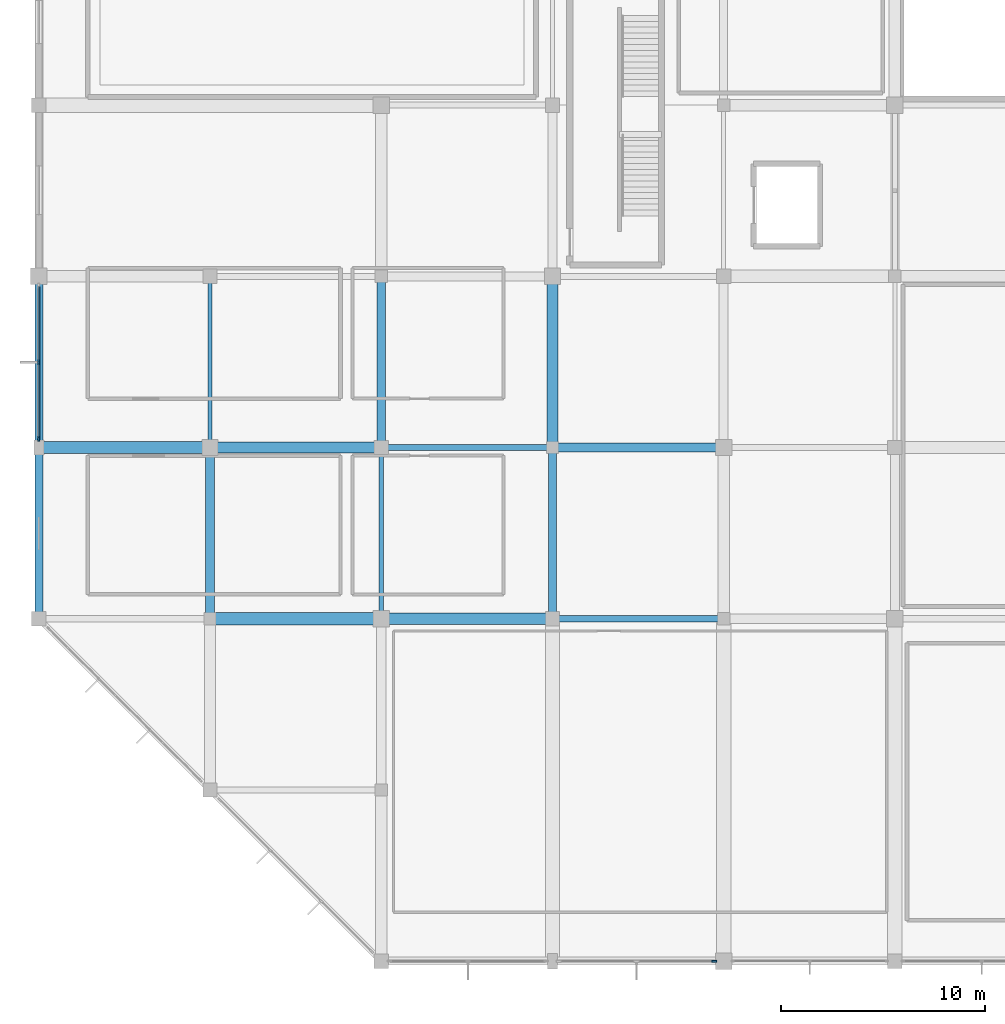
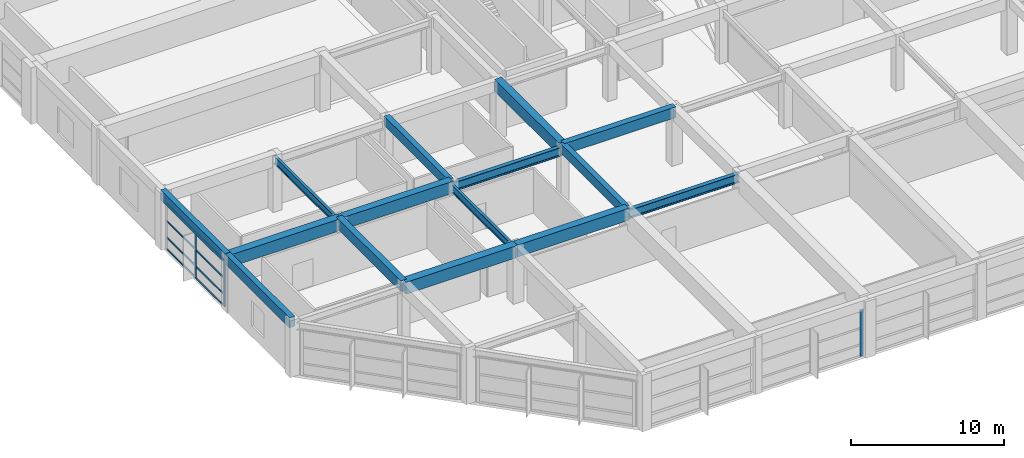
# One storey, part 10 of 65: 15 beams, 11 members, 2 elements without a shape of their own.
"""IFC4 building model written with IfcOpenShell, lengths in metres."""

from ifc_helpers import new_model, si_unit, direction, frame, origin, origin_2d, place, context, subcontext, project, spatial, rectangle, i_section, extrude, material, material_profile, profile_set, type_object, element, aggregate, save


model = new_model("IFC4")

# Units and contexts
model_context = context("Model", 3, precision=1e-05, world=origin(), true_north=direction((0.0, 1.0)))
body_context = subcontext(model_context, "Body", "Model", "MODEL_VIEW")
ifc_project = project(units=[si_unit("LENGTHUNIT", "METRE"), si_unit("AREAUNIT", "SQUARE_METRE"), si_unit("VOLUMEUNIT", "CUBIC_METRE"), si_unit("PLANEANGLEUNIT", "RADIAN"), si_unit("MASSUNIT", "GRAM", prefix="KILO")], contexts=[model_context])

# Site, building, storey
site_placement = place(None, origin())
site = spatial("IfcSite", under=ifc_project, at=site_placement, CompositionType="ELEMENT")
building_placement = place(site_placement, origin())
building = spatial("IfcBuilding", under=site, at=building_placement, Name="Xuanlan Plaza Opera House", CompositionType="ELEMENT")
storey_placement = place(building_placement, frame((0.0, 0.0, 5.39990234375)))
storey = spatial("IfcBuildingStorey", under=building, at=storey_placement, Name="L01", CompositionType="ELEMENT", Elevation=5.39990234375)

# Curtain wall, member
ifc_material_1 = material(Name="Anodised Aluminium 6063-T6 and Low-E Glass", Category="aluminium")
curtain_wall_type_1 = type_object("IfcCurtainWallType", Name="ENV-CW-CW-01", PredefinedType="USERDEFINED", material=ifc_material_1)
curtain_wall_1_placement = place(storey_placement, origin())
curtain_wall_1 = element("IfcCurtainWall", 1, at=curtain_wall_1_placement, inside=storey, type_object=curtain_wall_type_1, Name="Unitised Curtain Wall L01-002", ObjectType="UNITISED CURTAIN WALL", PredefinedType="USERDEFINED")
ifc_material_2 = material(Name="Anodised Aluminium 6063-T6", Category="aluminium")
ifc_material_profile_1 = material_profile(ifc_material_2, rectangle(XDim=0.090087890625, YDim=0.25, at=origin_2d()), Name="ALU-M 90x250")
ifc_profile_set_1 = profile_set([ifc_material_profile_1], Name="Anodised Aluminium 6063-T6")
member_type_1 = type_object("IfcMemberType", Name="ENV-CWM-05", PredefinedType="MULLION", material=ifc_profile_set_1)
member_1_placement = place(storey_placement, frame((33.135009765625, 0.0, 0.0), z_axis=(0.0, 0.0, 1.0), x_axis=(0.0, 1.0, 0.0)))
member_1 = element("IfcMember", 2, at=member_1_placement, type_object=member_type_1, Name="CW-01 mullion 3", PredefinedType="MULLION", context=body_context, shape_type="SweptSolid", body=[
    extrude(rectangle(XDim=0.090087890625, YDim=0.25, at=origin_2d()), origin(), (0.0, 0.0, 1.0), 3.68017578125),
])
aggregate(curtain_wall_1, [member_1])

# Curtain wall, members
curtain_wall_type_2 = type_object("IfcCurtainWallType", Name="ENV-CW-CW-04", PredefinedType="USERDEFINED", material=ifc_material_1)
curtain_wall_2_placement = place(storey_placement, origin())
curtain_wall_2 = element("IfcCurtainWall", 3, at=curtain_wall_2_placement, inside=storey, type_object=curtain_wall_type_2, Name="Unitised Curtain Wall L01-057", ObjectType="UNITISED CURTAIN WALL", PredefinedType="USERDEFINED")
member_2_placement = place(storey_placement, frame((0.0, 29.387451171875, 0.0), z_axis=(0.0, 0.0, 1.0), x_axis=(1.0, 0.0, 0.0)))
member_2 = element("IfcMember", 4, at=member_2_placement, type_object=member_type_1, Name="CW-04 mullion 2", PredefinedType="MULLION", context=body_context, shape_type="SweptSolid", body=[
    extrude(rectangle(XDim=0.090087890625, YDim=0.25, at=origin_2d()), origin(), (0.0, 0.0, 1.0), 3.68017578125),
])
member_3_placement = place(storey_placement, frame((0.0, 25.639892578125, 0.0), z_axis=(0.0, 0.0, 1.0), x_axis=(1.0, 0.0, 0.0)))
member_3 = element("IfcMember", 5, at=member_3_placement, type_object=member_type_1, Name="CW-04 mullion 3", PredefinedType="MULLION", context=body_context, shape_type="SweptSolid", body=[
    extrude(rectangle(XDim=0.090087890625, YDim=0.25, at=origin_2d()), origin(), (0.0, 0.0, 1.0), 3.68017578125),
])
ifc_material_profile_2 = material_profile(ifc_material_2, rectangle(XDim=0.070068359375, YDim=0.135009765625, at=origin_2d()), Name="ALU-T 70x135")
ifc_profile_set_2 = profile_set([ifc_material_profile_2], Name="Anodised Aluminium 6063-T6")
member_type_2 = type_object("IfcMemberType", Name="ENV-CWT-02", PredefinedType="USERDEFINED", material=ifc_profile_set_2)
member_4_placement = place(storey_placement, frame((0.0, 33.090087890625, 0.03515625), z_axis=(0.0, -1.0, 0.0), x_axis=(1.0, 0.0, 0.0)))
member_4 = element("IfcMember", 6, at=member_4_placement, type_object=member_type_2, Name="CW-04 transom 1.1", ObjectType="TRANSOM", PredefinedType="USERDEFINED", context=body_context, shape_type="SweptSolid", body=[
    extrude(rectangle(XDim=0.070068359375, YDim=0.135009765625, at=origin_2d()), origin(), (0.0, 0.0, 1.0), 3.657470703125),
])
member_5_placement = place(storey_placement, frame((0.0, 33.090087890625, 0.9501953125), z_axis=(0.0, -1.0, 0.0), x_axis=(1.0, 0.0, 0.0)))
member_5 = element("IfcMember", 7, at=member_5_placement, type_object=member_type_2, Name="CW-04 transom 1.2", ObjectType="TRANSOM", PredefinedType="USERDEFINED", context=body_context, shape_type="SweptSolid", body=[
    extrude(rectangle(XDim=0.070068359375, YDim=0.135009765625, at=origin_2d()), origin(), (0.0, 0.0, 1.0), 3.657470703125),
])
member_6_placement = place(storey_placement, frame((0.0, 33.090087890625, 2.25), z_axis=(0.0, -1.0, 0.0), x_axis=(1.0, 0.0, 0.0)))
member_6 = element("IfcMember", 8, at=member_6_placement, type_object=member_type_2, Name="CW-04 transom 1.3", ObjectType="TRANSOM", PredefinedType="USERDEFINED", context=body_context, shape_type="SweptSolid", body=[
    extrude(rectangle(XDim=0.070068359375, YDim=0.135009765625, at=origin_2d()), origin(), (0.0, 0.0, 1.0), 3.657470703125),
])
member_7_placement = place(storey_placement, frame((0.0, 33.090087890625, 3.64501953125), z_axis=(0.0, -1.0, 0.0), x_axis=(1.0, 0.0, 0.0)))
member_7 = element("IfcMember", 9, at=member_7_placement, type_object=member_type_2, Name="CW-04 transom 1.4", ObjectType="TRANSOM", PredefinedType="USERDEFINED", context=body_context, shape_type="SweptSolid", body=[
    extrude(rectangle(XDim=0.070068359375, YDim=0.135009765625, at=origin_2d()), origin(), (0.0, 0.0, 1.0), 3.657470703125),
])
member_8_placement = place(storey_placement, frame((0.0, 29.342529296875, 0.03515625), z_axis=(0.0, -1.0, 0.0), x_axis=(1.0, 0.0, 0.0)))
member_8 = element("IfcMember", 10, at=member_8_placement, type_object=member_type_2, Name="CW-04 transom 2.1", ObjectType="TRANSOM", PredefinedType="USERDEFINED", context=body_context, shape_type="SweptSolid", body=[
    extrude(rectangle(XDim=0.070068359375, YDim=0.135009765625, at=origin_2d()), origin(), (0.0, 0.0, 1.0), 3.657470703125),
])
member_9_placement = place(storey_placement, frame((0.0, 29.342529296875, 0.9501953125), z_axis=(0.0, -1.0, 0.0), x_axis=(1.0, 0.0, 0.0)))
member_9 = element("IfcMember", 11, at=member_9_placement, type_object=member_type_2, Name="CW-04 transom 2.2", ObjectType="TRANSOM", PredefinedType="USERDEFINED", context=body_context, shape_type="SweptSolid", body=[
    extrude(rectangle(XDim=0.070068359375, YDim=0.135009765625, at=origin_2d()), origin(), (0.0, 0.0, 1.0), 3.657470703125),
])
member_10_placement = place(storey_placement, frame((0.0, 29.342529296875, 2.25), z_axis=(0.0, -1.0, 0.0), x_axis=(1.0, 0.0, 0.0)))
member_10 = element("IfcMember", 12, at=member_10_placement, type_object=member_type_2, Name="CW-04 transom 2.3", ObjectType="TRANSOM", PredefinedType="USERDEFINED", context=body_context, shape_type="SweptSolid", body=[
    extrude(rectangle(XDim=0.070068359375, YDim=0.135009765625, at=origin_2d()), origin(), (0.0, 0.0, 1.0), 3.657470703125),
])
member_11_placement = place(storey_placement, frame((0.0, 29.342529296875, 3.64501953125), z_axis=(0.0, -1.0, 0.0), x_axis=(1.0, 0.0, 0.0)))
member_11 = element("IfcMember", 13, at=member_11_placement, type_object=member_type_2, Name="CW-04 transom 2.4", ObjectType="TRANSOM", PredefinedType="USERDEFINED", context=body_context, shape_type="SweptSolid", body=[
    extrude(rectangle(XDim=0.070068359375, YDim=0.135009765625, at=origin_2d()), origin(), (0.0, 0.0, 1.0), 3.657470703125),
])
aggregate(curtain_wall_2, [member_2, member_3, member_4, member_5, member_6, member_7, member_8, member_9, member_10, member_11])

# Beams
ifc_material_3 = material(Name="Concrete C50", Category="concrete")
ifc_material_profile_3 = material_profile(ifc_material_3, rectangle(XDim=0.60009765625, YDim=0.949951171875, at=origin_2d()), Name="RC-BM 600x950")
ifc_profile_set_3 = profile_set([ifc_material_profile_3], Name="Concrete C50")
beam_type_1 = type_object("IfcBeamType", Name="STR-BM-B-01", PredefinedType="BEAM", material=ifc_profile_set_3)
beam_1_placement = place(storey_placement, frame((8.39990234375, 16.800048828125, 4.025146484375), z_axis=(1.0, 0.0, 0.0), x_axis=(0.0, 1.0, 0.0)))
element("IfcBeam", 14, at=beam_1_placement, inside=storey, type_object=beam_type_1, Name="Grid Beam X L01 2-3/C", PredefinedType="BEAM", context=body_context, shape_type="SweptSolid", body=[
    extrude(rectangle(XDim=0.60009765625, YDim=0.949951171875, at=origin_2d()), origin(), (0.0, 0.0, 1.0), 8.400146484375),
])
beam_2_placement = place(storey_placement, frame((0.0, 25.199951171875, 4.025146484375), z_axis=(1.0, 0.0, 0.0), x_axis=(0.0, 1.0, 0.0)))
element("IfcBeam", 15, at=beam_2_placement, inside=storey, type_object=beam_type_1, Name="Grid Beam X L01 1-2/D", PredefinedType="BEAM", context=body_context, shape_type="SweptSolid", body=[
    extrude(rectangle(XDim=0.60009765625, YDim=0.949951171875, at=origin_2d()), origin(), (0.0, 0.0, 1.0), 8.39990234375),
])
ifc_material_profile_4 = material_profile(ifc_material_3, rectangle(XDim=0.550048828125, YDim=0.949951171875, at=origin_2d()), Name="RC-BM 550x950")
ifc_profile_set_4 = profile_set([ifc_material_profile_4], Name="Concrete C50")
beam_type_2 = type_object("IfcBeamType", Name="STR-BM-B-02", PredefinedType="BEAM", material=ifc_profile_set_4)
beam_3_placement = place(storey_placement, frame((16.800048828125, 16.800048828125, 4.025146484375), z_axis=(1.0, 0.0, 0.0), x_axis=(0.0, 1.0, 0.0)))
element("IfcBeam", 16, at=beam_3_placement, inside=storey, type_object=beam_type_2, Name="Grid Beam X L01 3-4/C", PredefinedType="BEAM", context=body_context, shape_type="SweptSolid", body=[
    extrude(rectangle(XDim=0.550048828125, YDim=0.949951171875, at=origin_2d()), origin(), (0.0, 0.0, 1.0), 8.39990234375),
])
for number, where, z_axis, x_axis, name in (
    (17, (8.39990234375, 25.199951171875, 4.025146484375), (1.0, 0.0, 0.0), (0.0, 1.0, 0.0), "Grid Beam X L01 2-3/D"),
    (18, (25.199951171875, 25.199951171875, 4.025146484375), (0.0, 1.0, 0.0), (-1.0, 0.0, 0.0), "Grid Beam Y L01 4/D-E"),
):
    element("IfcBeam", number, at=place(storey_placement, frame(where, z_axis=z_axis, x_axis=x_axis)), inside=storey, type_object=beam_type_2, Name=name, PredefinedType="BEAM", context=body_context, shape_type="SweptSolid", body=[
        extrude(rectangle(XDim=0.550048828125, YDim=0.949951171875, at=origin_2d()), origin(), (0.0, 0.0, 1.0), 8.400146484375),
    ])
ifc_material_4 = material(Name="Concrete C40", Category="concrete")
ifc_material_profile_5 = material_profile(ifc_material_4, rectangle(XDim=0.449951171875, YDim=0.85009765625, at=origin_2d()), Name="RC-BM 450x850")
ifc_profile_set_5 = profile_set([ifc_material_profile_5], Name="Concrete C40")
beam_type_3 = type_object("IfcBeamType", Name="STR-BM-B-04", PredefinedType="BEAM", material=ifc_profile_set_5)
beam_4_placement = place(storey_placement, frame((25.199951171875, 25.199951171875, 4.0751953125), z_axis=(1.0, 0.0, 0.0), x_axis=(0.0, 1.0, 0.0)))
element("IfcBeam", 19, at=beam_4_placement, inside=storey, type_object=beam_type_3, Name="Grid Beam X L01 4-5/D", PredefinedType="BEAM", context=body_context, shape_type="SweptSolid", body=[
    extrude(rectangle(XDim=0.449951171875, YDim=0.85009765625, at=origin_2d()), origin(), (0.0, 0.0, 1.0), 8.400146484375),
])
beam_5_placement = place(storey_placement, frame((8.39990234375, 16.800048828125, 4.0751953125), z_axis=(0.0, 1.0, 0.0), x_axis=(-1.0, 0.0, 0.0)))
element("IfcBeam", 20, at=beam_5_placement, inside=storey, type_object=beam_type_3, Name="Grid Beam Y L01 2/C-D", PredefinedType="BEAM", context=body_context, shape_type="SweptSolid", body=[
    extrude(rectangle(XDim=0.449951171875, YDim=0.85009765625, at=origin_2d()), origin(), (0.0, 0.0, 1.0), 8.39990234375),
])
ifc_material_profile_6 = material_profile(ifc_material_4, rectangle(XDim=0.39990234375, YDim=0.75, at=origin_2d()), Name="RC-BM 400x750")
ifc_profile_set_6 = profile_set([ifc_material_profile_6], Name="Concrete C40")
beam_type_4 = type_object("IfcBeamType", Name="STR-BM-B-06", PredefinedType="BEAM", material=ifc_profile_set_6)
beam_6_placement = place(storey_placement, frame((16.800048828125, 25.199951171875, 4.125), z_axis=(0.0, 1.0, 0.0), x_axis=(-1.0, 0.0, 0.0)))
element("IfcBeam", 21, at=beam_6_placement, inside=storey, type_object=beam_type_4, Name="Grid Beam Y L01 3/D-E", PredefinedType="BEAM", context=body_context, shape_type="SweptSolid", body=[
    extrude(rectangle(XDim=0.39990234375, YDim=0.75, at=origin_2d()), origin(), (0.0, 0.0, 1.0), 8.400146484375),
])
beam_7_placement = place(storey_placement, frame((25.199951171875, 16.800048828125, 4.125), z_axis=(0.0, 1.0, 0.0), x_axis=(-1.0, 0.0, 0.0)))
element("IfcBeam", 22, at=beam_7_placement, inside=storey, type_object=beam_type_4, Name="Grid Beam Y L01 4/C-D", PredefinedType="BEAM", context=body_context, shape_type="SweptSolid", body=[
    extrude(rectangle(XDim=0.39990234375, YDim=0.75, at=origin_2d()), origin(), (0.0, 0.0, 1.0), 8.39990234375),
])
ifc_material_5 = material(Name="Steel Q355B", Category="steel")
ifc_material_profile_7 = material_profile(ifc_material_5, i_section(OverallWidth=0.300048828125, OverallDepth=0.699951171875, WebThickness=0.012939453125, FlangeThickness=0.02392578125, FilletRadius=0.02392578125, at=origin_2d()), Name="HN 700x300x13x24")
ifc_profile_set_7 = profile_set([ifc_material_profile_7], Name="Steel Q355B")
beam_type_5 = type_object("IfcBeamType", Name="STR-BM-SB-03", PredefinedType="BEAM", material=ifc_profile_set_7)
beam_8_placement = place(storey_placement, frame((25.199951171875, 16.800048828125, 3.885009765625), z_axis=(1.0, 0.0, 0.0), x_axis=(0.0, 1.0, 0.0)))
element("IfcBeam", 23, at=beam_8_placement, inside=storey, type_object=beam_type_5, Name="Grid Beam X L01 4-5/C", PredefinedType="BEAM", context=body_context, shape_type="SweptSolid", body=[
    extrude(i_section(OverallWidth=0.300048828125, OverallDepth=0.699951171875, WebThickness=0.012939453125, FlangeThickness=0.02392578125, FilletRadius=0.02392578125, at=origin_2d()), origin(), (0.0, 0.0, 1.0), 8.400146484375),
])
beam_9_placement = place(storey_placement, frame((16.800048828125, 25.199951171875, 3.885009765625), z_axis=(1.0, 0.0, 0.0), x_axis=(0.0, 1.0, 0.0)))
element("IfcBeam", 24, at=beam_9_placement, inside=storey, type_object=beam_type_5, Name="Grid Beam X L01 3-4/D", PredefinedType="BEAM", context=body_context, shape_type="SweptSolid", body=[
    extrude(i_section(OverallWidth=0.300048828125, OverallDepth=0.699951171875, WebThickness=0.012939453125, FlangeThickness=0.02392578125, FilletRadius=0.02392578125, at=origin_2d()), origin(), (0.0, 0.0, 1.0), 8.39990234375),
])
ifc_material_profile_8 = material_profile(ifc_material_5, i_section(OverallWidth=0.199951171875, OverallDepth=0.60009765625, WebThickness=0.010986328125, FlangeThickness=0.01708984375, FilletRadius=0.02197265625, at=origin_2d()), Name="HN 600x200x11x17")
ifc_profile_set_8 = profile_set([ifc_material_profile_8], Name="Steel Q355B")
beam_type_6 = type_object("IfcBeamType", Name="STR-BM-SB-04", PredefinedType="BEAM", material=ifc_profile_set_8)
beam_10_placement = place(storey_placement, frame((8.39990234375, 25.199951171875, 3.93505859375), z_axis=(0.0, 1.0, 0.0), x_axis=(-1.0, 0.0, 0.0)))
element("IfcBeam", 25, at=beam_10_placement, inside=storey, type_object=beam_type_6, Name="Grid Beam Y L01 2/D-E", PredefinedType="BEAM", context=body_context, shape_type="SweptSolid", body=[
    extrude(i_section(OverallWidth=0.199951171875, OverallDepth=0.60009765625, WebThickness=0.010986328125, FlangeThickness=0.01708984375, FilletRadius=0.02197265625, at=origin_2d()), origin(), (0.0, 0.0, 1.0), 8.400146484375),
])
beam_11_placement = place(storey_placement, frame((16.800048828125, 16.800048828125, 3.93505859375), z_axis=(0.0, 1.0, 0.0), x_axis=(-1.0, 0.0, 0.0)))
element("IfcBeam", 26, at=beam_11_placement, inside=storey, type_object=beam_type_6, Name="Grid Beam Y L01 3/C-D", PredefinedType="BEAM", context=body_context, shape_type="SweptSolid", body=[
    extrude(i_section(OverallWidth=0.199951171875, OverallDepth=0.60009765625, WebThickness=0.010986328125, FlangeThickness=0.01708984375, FilletRadius=0.02197265625, at=origin_2d()), origin(), (0.0, 0.0, 1.0), 8.39990234375),
])
ifc_material_profile_9 = material_profile(ifc_material_4, rectangle(XDim=0.39990234375, YDim=0.800048828125, at=origin_2d()), Name="RC-SPD 400x800")
ifc_profile_set_9 = profile_set([ifc_material_profile_9], Name="Concrete C40")
beam_type_7 = type_object("IfcBeamType", Name="STR-BM-SP-01", PredefinedType="SPANDREL", material=ifc_profile_set_9)
beam_12_placement = place(storey_placement, frame((0.0, 16.800048828125, 4.10009765625), z_axis=(0.0, 1.0, 0.0), x_axis=(-1.0, 0.0, 0.0)))
element("IfcBeam", 27, at=beam_12_placement, inside=storey, type_object=beam_type_7, Name="Grid Beam Y L01 1/C-D", PredefinedType="SPANDREL", context=body_context, shape_type="SweptSolid", body=[
    extrude(rectangle(XDim=0.39990234375, YDim=0.800048828125, at=origin_2d()), origin(), (0.0, 0.0, 1.0), 8.39990234375),
])
beam_13_placement = place(storey_placement, frame((0.0, 25.199951171875, 4.10009765625), z_axis=(0.0, 1.0, 0.0), x_axis=(-1.0, 0.0, 0.0)))
element("IfcBeam", 28, at=beam_13_placement, inside=storey, type_object=beam_type_7, Name="Grid Beam Y L01 1/D-E", PredefinedType="SPANDREL", context=body_context, shape_type="SweptSolid", body=[
    extrude(rectangle(XDim=0.39990234375, YDim=0.800048828125, at=origin_2d()), origin(), (0.0, 0.0, 1.0), 8.400146484375),
])

save(model, "model.ifc")
